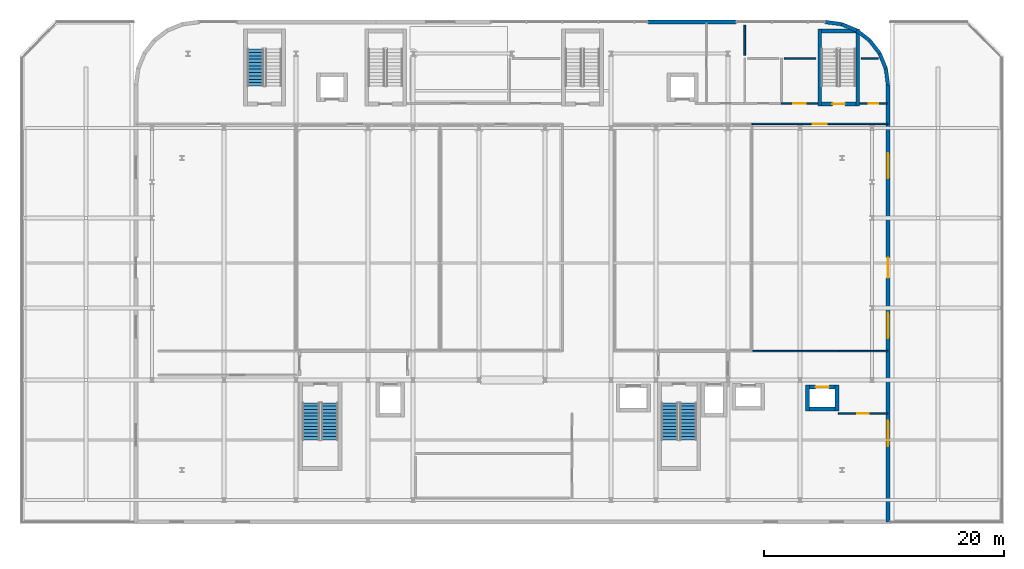
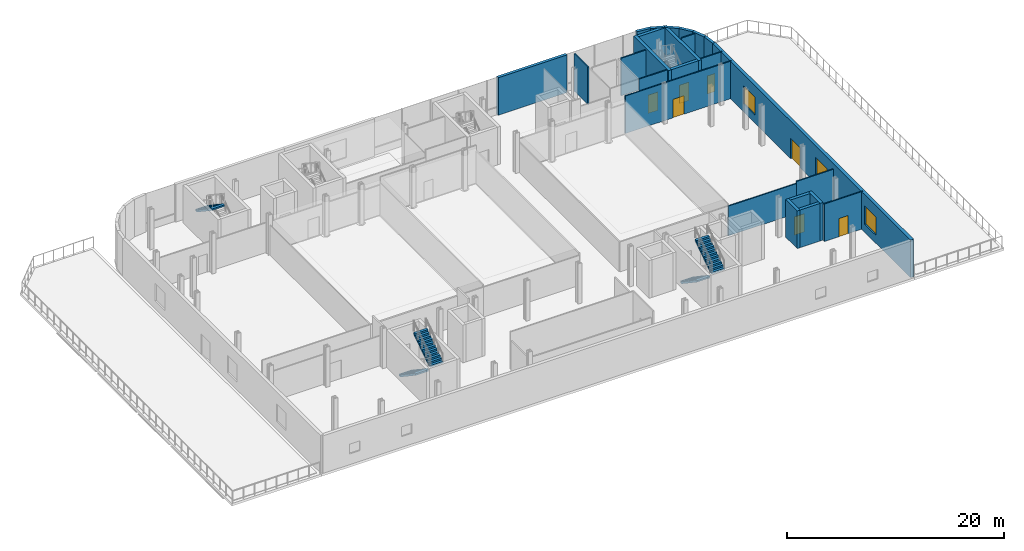
# One storey, part 18 of 26: 25 walls, 7 doors, 5 stair flights, 3 windows, 10 openings, 3 elements without a shape of their own.
"""IFC4 building model written with IfcOpenShell, lengths in metres."""

from ifc_helpers import new_model, si_unit, direction, frame, frame_2d, origin, place, context, subcontext, project, spatial, polyline, rectangle, outline, extrude, material, layer, layer_set, type_object, element, fill, aggregate, save


model = new_model("IFC4")

# Units and contexts
model_context = context("Model", 3, precision=1e-05, world=origin(), true_north=direction((0.0, 1.0)))
body_context = subcontext(model_context, "Body", "Model", "MODEL_VIEW")
ifc_project = project(units=[si_unit("LENGTHUNIT", "METRE"), si_unit("AREAUNIT", "SQUARE_METRE"), si_unit("VOLUMEUNIT", "CUBIC_METRE"), si_unit("PLANEANGLEUNIT", "RADIAN"), si_unit("MASSUNIT", "GRAM", prefix="KILO")], contexts=[model_context])

# Site, building, storey
site_placement = place(None, origin())
site = spatial("IfcSite", under=ifc_project, at=site_placement, CompositionType="ELEMENT")
building_placement = place(site_placement, origin())
building = spatial("IfcBuilding", under=site, at=building_placement, Name="Brevholm Reach", CompositionType="ELEMENT")
storey_placement = place(building_placement, frame((0.0, 0.0, 18.0)))
storey = spatial("IfcBuildingStorey", under=building, at=storey_placement, Name="L04", CompositionType="ELEMENT", Elevation=18.0)

# Walls
ifc_material_1 = material(Name="Concrete C60/75", Category="concrete")
ifc_layer_1 = layer(ifc_material_1, 0.320068359375)
ifc_layer_set_1 = layer_set([ifc_layer_1], Name="Concrete C60/75")
wall_type_1 = type_object("IfcWallType", Name="WAL-COR-320", PredefinedType="SHEAR", material=ifc_layer_set_1)
for number, where, z_axis, x_axis, name in (
    (1, (55.639892578125, 32.830078125, 0.0), (0.0, 0.0, 1.0), (0.0, 1.0, 0.0), "L04 Escape Stair ST-S4 Core Wall W"),
    (2, (58.81005859375, 32.830078125, 0.0), (0.0, 0.0, 1.0), (0.0, 1.0, 0.0), "L04 Escape Stair ST-S4 Core Wall E"),
):
    element("IfcWall", number, at=place(storey_placement, frame(where, z_axis=z_axis, x_axis=x_axis)), inside=storey, type_object=wall_type_1, Name=name, PredefinedType="SHEAR", context=body_context, shape_type="SweptSolid", body=[
        extrude(rectangle(XDim=6.419921875, YDim=0.320068359375, at=frame_2d((3.2099609375, 0.0))), origin(), (0.0, 0.0, 1.0), 4.219970703125),
    ])

# Wall, opening, door
wall_1_placement = place(storey_placement, frame((55.800048828125, 32.989990234375, 0.0), z_axis=(0.0, 0.0, 1.0), x_axis=(1.0, 0.0, 0.0)))
wall_1 = element("IfcWall", 3, at=wall_1_placement, inside=storey, type_object=wall_type_1, Name="L04 Escape Stair ST-S4 Core Wall S", PredefinedType="SHEAR", context=body_context, shape_type="SweptSolid", body=[
    extrude(rectangle(XDim=2.849853515625, YDim=0.320068359375, at=frame_2d((1.4248046875, 0.0))), origin(), (0.0, 0.0, 1.0), 4.219970703125),
])
opening_1_placement = place(wall_1_placement, frame((0.89990234375, 0.0, 0.0)))
opening_1 = element("IfcOpeningElement", 4, at=opening_1_placement, cuts=wall_1, Name="Opening SD-ST-S4", PredefinedType="OPENING", context=body_context, shape_type="SweptSolid", body=[
    extrude(rectangle(XDim=1.050048828125, YDim=2.06005859375, at=frame_2d((0.52490234375, 1.030029296875))), frame((0.0, 0.169921875, 0.0), z_axis=(0.0, -1.0, 0.0), x_axis=(1.0, 0.0, 0.0)), (0.0, 0.0, 1.0), 0.340087890625),
])
ifc_material_2 = material(Name="Hardwood-Lipped Steel-Core Fire and Smoke Door", Category="steel")
door_type_1 = type_object("IfcDoorType", Name="DOR-INT-FD60S", OperationType="NOTDEFINED", PredefinedType="DOOR", material=ifc_material_2)
door_1_placement = place(opening_1_placement, origin())
door_1 = element("IfcDoor", 5, at=door_1_placement, inside=storey, type_object=door_type_1, Name="L04 Protected Stair ST-S4 Lobby Door", OperationType="SINGLE_SWING_LEFT", OverallHeight=2.06005859375, OverallWidth=1.050048828125, PredefinedType="DOOR", context=body_context, shape_type="SweptSolid", body=[
    extrude(rectangle(XDim=1.050048828125, YDim=2.06005859375, at=frame_2d((0.52490234375, 1.030029296875))), frame((0.0, 0.02490234375, 0.0), z_axis=(0.0, -1.0, 0.0), x_axis=(1.0, 0.0, 0.0)), (0.0, 0.0, 1.0), 0.050048828125),
])
fill(opening_1, door_1)

# Walls
wall_2_placement = place(storey_placement, frame((58.64990234375, 39.090087890625, 0.0), z_axis=(0.0, 0.0, 1.0), x_axis=(-1.0, 0.0, 0.0)))
element("IfcWall", 6, at=wall_2_placement, inside=storey, type_object=wall_type_1, Name="L04 Escape Stair ST-S4 Core Wall N", PredefinedType="SHEAR", context=body_context, shape_type="SweptSolid", body=[
    extrude(rectangle(XDim=2.849853515625, YDim=0.320068359375, at=frame_2d((1.4248046875, 0.0))), origin(), (0.0, 0.0, 1.0), 4.219970703125),
])
for number, where, z_axis, x_axis, name in (
    (7, (54.6298828125, 7.419921875, 0.0), (0.0, 0.0, 1.0), (0.0, 1.0, 0.0), "L04 Lift PL-L2 Shaft Wall W"),
    (8, (57.070068359375, 7.419921875, 0.0), (0.0, 0.0, 1.0), (0.0, 1.0, 0.0), "L04 Lift PL-L2 Shaft Wall E"),
):
    element("IfcWall", number, at=place(storey_placement, frame(where, z_axis=z_axis, x_axis=x_axis)), inside=storey, type_object=wall_type_1, Name=name, PredefinedType="SHEAR", context=body_context, shape_type="SweptSolid", body=[
        extrude(rectangle(XDim=2.16015625, YDim=0.320068359375, at=frame_2d((1.080078125, 0.0))), origin(), (0.0, 0.0, 1.0), 4.219970703125),
    ])
wall_3_placement = place(storey_placement, frame((54.7900390625, 7.580078125, 0.0), z_axis=(0.0, 0.0, 1.0), x_axis=(1.0, 0.0, 0.0)))
element("IfcWall", 9, at=wall_3_placement, inside=storey, type_object=wall_type_1, Name="L04 Lift PL-L2 Shaft Wall S", PredefinedType="SHEAR", context=body_context, shape_type="SweptSolid", body=[
    extrude(rectangle(XDim=2.119873046875, YDim=0.320068359375, at=frame_2d((1.06005859375, 0.0))), origin(), (0.0, 0.0, 1.0), 4.219970703125),
])

# Wall, opening, door
wall_4_placement = place(storey_placement, frame((54.7900390625, 9.419921875, 0.0), z_axis=(0.0, 0.0, 1.0), x_axis=(1.0, 0.0, 0.0)))
wall_4 = element("IfcWall", 10, at=wall_4_placement, inside=storey, type_object=wall_type_1, Name="L04 Lift PL-L2 Shaft Wall N", PredefinedType="SHEAR", context=body_context, shape_type="SweptSolid", body=[
    extrude(rectangle(XDim=2.119873046875, YDim=0.320068359375, at=frame_2d((1.06005859375, 0.0))), origin(), (0.0, 0.0, 1.0), 4.219970703125),
])
opening_2_placement = place(wall_4_placement, frame((0.510009765625, 0.0, 0.0)))
opening_2 = element("IfcOpeningElement", 11, at=opening_2_placement, cuts=wall_4, Name="Opening LD-PL-L2", PredefinedType="OPENING", context=body_context, shape_type="SweptSolid", body=[
    extrude(rectangle(XDim=1.10009765625, YDim=2.06005859375, at=frame_2d((0.550048828125, 1.030029296875))), frame((0.0, 0.169921875, 0.0), z_axis=(0.0, -1.0, 0.0), x_axis=(1.0, 0.0, 0.0)), (0.0, 0.0, 1.0), 0.340087890625),
])
ifc_material_3 = material(Name="Brushed Stainless Steel Fire-Rated Sliding Lift Door", Category="steel")
door_type_2 = type_object("IfcDoorType", Name="DOR-LFT-1100", OperationType="NOTDEFINED", PredefinedType="DOOR", material=ifc_material_3)
door_2_placement = place(opening_2_placement, origin())
door_2 = element("IfcDoor", 12, at=door_2_placement, inside=storey, type_object=door_type_2, Name="L04 Lift PL-L2 Sliding Landing Door", OperationType="SLIDING_TO_LEFT", OverallHeight=2.06005859375, OverallWidth=1.10009765625, PredefinedType="DOOR", context=body_context, shape_type="SweptSolid", body=[
    extrude(rectangle(XDim=1.10009765625, YDim=2.06005859375, at=frame_2d((0.550048828125, 1.030029296875))), frame((0.0, 0.02490234375, 0.0), z_axis=(0.0, -1.0, 0.0), x_axis=(1.0, 0.0, 0.0)), (0.0, 0.0, 1.0), 0.050048828125),
])
fill(opening_2, door_2)

# Walls
ifc_material_4 = material(Name="Concrete C40/50", Category="concrete")
ifc_layer_2 = layer(ifc_material_4, 0.300048828125)
ifc_layer_set_2 = layer_set([ifc_layer_2], Name="Concrete C40/50")
wall_type_2 = type_object("IfcWallType", Name="WAL-EXT-300", PredefinedType="STANDARD", material=ifc_layer_set_2)
wall_5_placement = place(storey_placement, frame((56.10009765625, 39.830078125, 0.0), z_axis=(0.0, 0.0, 1.0), x_axis=(0.991442117533, -0.13054703207, 0.0)))
element("IfcWall", 13, at=wall_5_placement, inside=storey, type_object=wall_type_2, Name="L04 Facade Wall WAL-L04-NEP-1", PredefinedType="STANDARD", context=body_context, shape_type="SweptSolid", body=[
    extrude(rectangle(XDim=1.365234375, YDim=0.300048828125, at=frame_2d((0.6826171875, 0.0))), origin(), (0.0, 0.0, 1.0), 4.219970703125),
])
wall_6_placement = place(storey_placement, frame((57.45361328125, 39.65185546875, 0.0), z_axis=(0.0, 0.0, 1.0), x_axis=(0.923894797396, -0.382646577594, 0.0)))
element("IfcWall", 14, at=wall_6_placement, inside=storey, type_object=wall_type_2, Name="L04 Facade Wall WAL-L04-NEP-2", PredefinedType="STANDARD", context=body_context, shape_type="SweptSolid", body=[
    extrude(rectangle(XDim=1.365478515625, YDim=0.300048828125, at=frame_2d((0.6826171875, 0.0))), origin(), (0.0, 0.0, 1.0), 4.219970703125),
])
for number, where, z_axis, x_axis, name in (
    (15, (58.715087890625, 39.12939453125, 0.0), (0.0, 0.0, 1.0), (0.793255091989, -0.6088894473, 0.0), "L04 Facade Wall WAL-L04-NEP-3"),
    (16, (59.798095703125, 38.298095703125, 0.0), (0.0, 0.0, 1.0), (0.6088894473, -0.793255091989, 0.0), "L04 Facade Wall WAL-L04-NEP-4"),
):
    element("IfcWall", number, at=place(storey_placement, frame(where, z_axis=z_axis, x_axis=x_axis)), inside=storey, type_object=wall_type_2, Name=name, PredefinedType="STANDARD", context=body_context, shape_type="SweptSolid", body=[
        extrude(rectangle(XDim=1.365234375, YDim=0.300048828125, at=frame_2d((0.6826171875, 0.0))), origin(), (0.0, 0.0, 1.0), 4.219970703125),
    ])
wall_7_placement = place(storey_placement, frame((60.62939453125, 37.215087890625, 0.0), z_axis=(0.0, 0.0, 1.0), x_axis=(0.382646577594, -0.923894797396, 0.0)))
element("IfcWall", 17, at=wall_7_placement, inside=storey, type_object=wall_type_2, Name="L04 Facade Wall WAL-L04-NEP-5", PredefinedType="STANDARD", context=body_context, shape_type="SweptSolid", body=[
    extrude(rectangle(XDim=1.365478515625, YDim=0.300048828125, at=frame_2d((0.6826171875, 0.0))), origin(), (0.0, 0.0, 1.0), 4.219970703125),
])
wall_8_placement = place(storey_placement, frame((61.15185546875, 35.95361328125, 0.0), z_axis=(0.0, 0.0, 1.0), x_axis=(0.13054703207, -0.991442117533, 0.0)))
element("IfcWall", 18, at=wall_8_placement, inside=storey, type_object=wall_type_2, Name="L04 Facade Wall WAL-L04-NEP-6", PredefinedType="STANDARD", context=body_context, shape_type="SweptSolid", body=[
    extrude(rectangle(XDim=1.365234375, YDim=0.300048828125, at=frame_2d((0.6826171875, 0.0))), origin(), (0.0, 0.0, 1.0), 4.219970703125),
])
wall_9_placement = place(storey_placement, frame((41.35009765625, 39.830078125, 0.0), z_axis=(0.0, 0.0, 1.0), x_axis=(1.0, 0.0, 0.0)))
element("IfcWall", 19, at=wall_9_placement, inside=storey, type_object=wall_type_2, Name="L04 Facade Wall WAL-L04-NPE", PredefinedType="STANDARD", context=body_context, shape_type="SweptSolid", body=[
    extrude(rectangle(XDim=7.2998046875, YDim=0.300048828125, at=frame_2d((3.64990234375, 0.0))), origin(), (0.0, 0.0, 1.0), 4.219970703125),
])

# Wall, openings, door, windows
ifc_material_5 = material(Name="Concrete C40/50", Category="concrete")
ifc_layer_3 = layer(ifc_material_5, 0.340087890625)
ifc_layer_set_3 = layer_set([ifc_layer_3], Name="Concrete C40/50")
wall_type_3 = type_object("IfcWallType", Name="WAL-EXT-340", PredefinedType="STANDARD", material=ifc_layer_set_3)
wall_10_placement = place(storey_placement, frame((61.330078125, -1.830078125, 0.0), z_axis=(0.0, 0.0, 1.0), x_axis=(0.0, 1.0, 0.0)))
wall_10 = element("IfcWall", 20, at=wall_10_placement, inside=storey, type_object=wall_type_3, Name="L04 Facade Wall WAL-L04-E", PredefinedType="STANDARD", context=body_context, shape_type="SweptSolid", body=[
    extrude(rectangle(XDim=36.43017578125, YDim=0.340087890625, at=frame_2d((18.215087890625, 0.0))), origin(), (0.0, 0.0, 1.0), 4.219970703125),
])
opening_3_placement = place(wall_10_placement, frame((6.330078125, 0.0, 0.89990234375)))
opening_3 = element("IfcOpeningElement", 21, at=opening_3_placement, cuts=wall_10, Name="Opening WN-02", PredefinedType="OPENING", context=body_context, shape_type="SweptSolid", body=[
    extrude(rectangle(XDim=2.10009765625, YDim=2.050048828125, at=frame_2d((1.050048828125, 1.02490234375))), frame((0.0, 0.179931640625, 0.0), z_axis=(0.0, -1.0, 0.0), x_axis=(1.0, 0.0, 0.0)), (0.0, 0.0, 1.0), 0.360107421875),
])
opening_4_placement = place(wall_10_placement, frame((15.330078125, 0.0, 0.89990234375)))
opening_4 = element("IfcOpeningElement", 22, at=opening_4_placement, cuts=wall_10, Name="Opening WN-02", PredefinedType="OPENING", context=body_context, shape_type="SweptSolid", body=[
    extrude(rectangle(XDim=2.10009765625, YDim=2.050048828125, at=frame_2d((1.050048828125, 1.02490234375))), frame((0.0, 0.179931640625, 0.0), z_axis=(0.0, -1.0, 0.0), x_axis=(1.0, 0.0, 0.0)), (0.0, 0.0, 1.0), 0.360107421875),
])
opening_5_placement = place(wall_10_placement, frame((28.6298828125, 0.0, 0.89990234375)))
opening_5 = element("IfcOpeningElement", 23, at=opening_5_placement, cuts=wall_10, Name="Opening WN-02", PredefinedType="OPENING", context=body_context, shape_type="SweptSolid", body=[
    extrude(rectangle(XDim=2.10009765625, YDim=2.050048828125, at=frame_2d((1.050048828125, 1.02490234375))), frame((0.0, 0.179931640625, 0.0), z_axis=(0.0, -1.0, 0.0), x_axis=(1.0, 0.0, 0.0)), (0.0, 0.0, 1.0), 0.360107421875),
])
opening_6_placement = place(wall_10_placement, frame((20.330078125, 0.0, 0.0)))
opening_6 = element("IfcOpeningElement", 24, at=opening_6_placement, cuts=wall_10, Name="Opening ED-05", PredefinedType="OPENING", context=body_context, shape_type="SweptSolid", body=[
    extrude(rectangle(XDim=1.699951171875, YDim=2.300048828125, at=frame_2d((0.85009765625, 1.14990234375))), frame((0.0, 0.179931640625, 0.0), z_axis=(0.0, -1.0, 0.0), x_axis=(1.0, 0.0, 0.0)), (0.0, 0.0, 1.0), 0.360107421875),
])
ifc_material_6 = material(Name="Dark Anodised Aluminium and Toughened Safety Glass", Category="aluminium")
door_type_3 = type_object("IfcDoorType", Name="DOR-EXT-PLAY", OperationType="NOTDEFINED", PredefinedType="DOOR", material=ifc_material_6)
door_3_placement = place(opening_6_placement, origin())
door_3 = element("IfcDoor", 25, at=door_3_placement, inside=storey, type_object=door_type_3, Name="L04 Exterior Door DOR-L04-PLAY-E", OperationType="SINGLE_SWING_RIGHT", OverallHeight=2.300048828125, OverallWidth=1.699951171875, PredefinedType="DOOR", context=body_context, shape_type="SweptSolid", body=[
    extrude(rectangle(XDim=1.699951171875, YDim=2.300048828125, at=frame_2d((0.85009765625, 1.14990234375))), frame((0.0, 0.02490234375, 0.0), z_axis=(0.0, -1.0, 0.0), x_axis=(1.0, 0.0, 0.0)), (0.0, 0.0, 1.0), 0.050048828125),
])
fill(opening_6, door_3)
ifc_material_7 = material(Name="Dark Anodised Aluminium and Solar-Control IGU Glass", Category="aluminium")
window_type = type_object("IfcWindowType", Name="WIN-SCH-2100", PartitioningType="SINGLE_PANEL", PredefinedType="WINDOW", material=ifc_material_7)
window_1_placement = place(opening_3_placement, origin())
window_1 = element("IfcWindow", 26, at=window_1_placement, inside=storey, type_object=window_type, Name="L04 Window WIN-L04-E-1", OverallHeight=2.050048828125, OverallWidth=2.10009765625, PartitioningType="SINGLE_PANEL", PredefinedType="WINDOW", context=body_context, shape_type="SweptSolid", body=[
    extrude(rectangle(XDim=2.10009765625, YDim=2.050048828125, at=frame_2d((1.050048828125, 1.02490234375))), frame((0.0, 0.030029296875, 0.0), z_axis=(0.0, -1.0, 0.0), x_axis=(1.0, 0.0, 0.0)), (0.0, 0.0, 1.0), 0.06005859375),
])
fill(opening_3, window_1)
window_2_placement = place(opening_4_placement, origin())
window_2 = element("IfcWindow", 27, at=window_2_placement, inside=storey, type_object=window_type, Name="L04 Window WIN-L04-E-2", OverallHeight=2.050048828125, OverallWidth=2.10009765625, PartitioningType="SINGLE_PANEL", PredefinedType="WINDOW", context=body_context, shape_type="SweptSolid", body=[
    extrude(rectangle(XDim=2.10009765625, YDim=2.050048828125, at=frame_2d((1.050048828125, 1.02490234375))), frame((0.0, 0.030029296875, 0.0), z_axis=(0.0, -1.0, 0.0), x_axis=(1.0, 0.0, 0.0)), (0.0, 0.0, 1.0), 0.06005859375),
])
fill(opening_4, window_2)
window_3_placement = place(opening_5_placement, origin())
window_3 = element("IfcWindow", 28, at=window_3_placement, inside=storey, type_object=window_type, Name="L04 Window WIN-L04-E-4", OverallHeight=2.050048828125, OverallWidth=2.10009765625, PartitioningType="SINGLE_PANEL", PredefinedType="WINDOW", context=body_context, shape_type="SweptSolid", body=[
    extrude(rectangle(XDim=2.10009765625, YDim=2.050048828125, at=frame_2d((1.050048828125, 1.02490234375))), frame((0.0, 0.030029296875, 0.0), z_axis=(0.0, -1.0, 0.0), x_axis=(1.0, 0.0, 0.0)), (0.0, 0.0, 1.0), 0.06005859375),
])
fill(opening_5, window_3)

# Wall, opening, door
ifc_material_8 = material(Name="Acoustic Fire-Rated Classroom Gypsum Partition 120 mm", Category="gypsum")
ifc_layer_4 = layer(ifc_material_8, 0.1201171875)
ifc_layer_set_4 = layer_set([ifc_layer_4], Name="Acoustic Fire-Rated Classroom Gypsum Partition 120 mm")
wall_type_4 = type_object("IfcWallType", Name="WAL-PRT-120", PredefinedType="PARTITIONING", material=ifc_layer_set_4)
wall_11_placement = place(storey_placement, frame((52.442626953125, 33.050048828125, 0.0), z_axis=(0.0, 0.0, 1.0), x_axis=(1.0, 0.0, 0.0)))
wall_11 = element("IfcWall", 29, at=wall_11_placement, inside=storey, type_object=wall_type_4, Name="L04 Internal Partition 015", PredefinedType="PARTITIONING", context=body_context, shape_type="SweptSolid", body=[
    extrude(rectangle(XDim=3.0185546875, YDim=0.1201171875, at=frame_2d((1.50927734375, 0.0))), origin(), (0.0, 0.0, 1.0), 4.219970703125),
])
opening_7_placement = place(wall_11_placement, frame((0.984375, 0.0, 0.0)))
opening_7 = element("IfcOpeningElement", 30, at=opening_7_placement, cuts=wall_11, Name="Opening FD-01", PredefinedType="OPENING", context=body_context, shape_type="SweptSolid", body=[
    extrude(rectangle(XDim=1.050048828125, YDim=2.06005859375, at=frame_2d((0.52490234375, 1.030029296875))), frame((0.0, 0.070068359375, 0.0), z_axis=(0.0, -1.0, 0.0), x_axis=(1.0, 0.0, 0.0)), (0.0, 0.0, 1.0), 0.14013671875),
])
door_4_placement = place(opening_7_placement, origin())
door_4 = element("IfcDoor", 31, at=door_4_placement, inside=storey, type_object=door_type_1, Name="L04 Internal Door 011", OperationType="SINGLE_SWING_LEFT", OverallHeight=2.06005859375, OverallWidth=1.050048828125, PredefinedType="DOOR", context=body_context, shape_type="SweptSolid", body=[
    extrude(rectangle(XDim=1.050048828125, YDim=2.06005859375, at=frame_2d((0.52490234375, 1.030029296875))), frame((0.0, 0.02490234375, 0.0), z_axis=(0.0, -1.0, 0.0), x_axis=(1.0, 0.0, 0.0)), (0.0, 0.0, 1.0), 0.050048828125),
])
fill(opening_7, door_4)

wall_12_placement = place(storey_placement, frame((58.97998046875, 33.050048828125, 0.0), z_axis=(0.0, 0.0, 1.0), x_axis=(1.0, 0.0, 0.0)))
wall_12 = element("IfcWall", 32, at=wall_12_placement, inside=storey, type_object=wall_type_4, Name="L04 Internal Partition 016", PredefinedType="PARTITIONING", context=body_context, shape_type="SweptSolid", body=[
    extrude(rectangle(XDim=2.300048828125, YDim=0.1201171875, at=frame_2d((1.14990234375, 0.0))), origin(), (0.0, 0.0, 1.0), 4.219970703125),
])
opening_8_placement = place(wall_12_placement, frame((0.739990234375, 0.0, 0.0)))
opening_8 = element("IfcOpeningElement", 33, at=opening_8_placement, cuts=wall_12, Name="Opening ID-02", PredefinedType="OPENING", context=body_context, shape_type="SweptSolid", body=[
    extrude(rectangle(XDim=0.820068359375, YDim=2.02001953125, at=frame_2d((0.41015625, 1.010009765625))), frame((0.0, 0.070068359375, 0.0), z_axis=(0.0, -1.0, 0.0), x_axis=(1.0, 0.0, 0.0)), (0.0, 0.0, 1.0), 0.14013671875),
])
ifc_material_9 = material(Name="Moisture-Resistant Painted Timber Fire-Rated Riser and Service Door", Category="wood")
door_type_4 = type_object("IfcDoorType", Name="DOR-SRV-820", OperationType="NOTDEFINED", PredefinedType="DOOR", material=ifc_material_9)
door_5_placement = place(opening_8_placement, origin())
door_5 = element("IfcDoor", 34, at=door_5_placement, inside=storey, type_object=door_type_4, Name="L04 Internal Door 012", OperationType="SINGLE_SWING_RIGHT", OverallHeight=2.02001953125, OverallWidth=0.820068359375, PredefinedType="DOOR", context=body_context, shape_type="SweptSolid", body=[
    extrude(rectangle(XDim=0.820068359375, YDim=2.02001953125, at=frame_2d((0.41015625, 1.010009765625))), frame((0.0, 0.02490234375, 0.0), z_axis=(0.0, -1.0, 0.0), x_axis=(1.0, 0.0, 0.0)), (0.0, 0.0, 1.0), 0.050048828125),
])
fill(opening_8, door_5)

wall_13_placement = place(storey_placement, frame((49.99267578125, 31.35009765625, 0.0), z_axis=(0.0, 0.0, 1.0), x_axis=(1.0, 0.0, 0.0)))
wall_13 = element("IfcWall", 35, at=wall_13_placement, inside=storey, type_object=wall_type_4, Name="L04 Internal Partition 021", PredefinedType="PARTITIONING", context=body_context, shape_type="SweptSolid", body=[
    extrude(rectangle(XDim=11.307373046875, YDim=0.1201171875, at=frame_2d((5.65380859375, 0.0))), origin(), (0.0, 0.0, 1.0), 4.219970703125),
])
opening_9_placement = place(wall_13_placement, frame((5.0537109375, 0.0, 0.0)))
opening_9 = element("IfcOpeningElement", 36, at=opening_9_placement, cuts=wall_13, Name="Opening ID-SC", PredefinedType="OPENING", context=body_context, shape_type="SweptSolid", body=[
    extrude(rectangle(XDim=1.199951171875, YDim=2.080078125, at=frame_2d((0.60009765625, 1.0400390625))), frame((0.0, 0.070068359375, 0.0), z_axis=(0.0, -1.0, 0.0), x_axis=(1.0, 0.0, 0.0)), (0.0, 0.0, 1.0), 0.14013671875),
])
ifc_material_10 = material(Name="Acoustic European Oak Classroom Vision-Panel Fire Door", Category="timber")
door_type_5 = type_object("IfcDoorType", Name="DOR-SCH-1200", OperationType="NOTDEFINED", PredefinedType="DOOR", material=ifc_material_10)
door_6_placement = place(opening_9_placement, origin())
door_6 = element("IfcDoor", 37, at=door_6_placement, inside=storey, type_object=door_type_5, Name="L04 Internal Door 017", OperationType="SINGLE_SWING_LEFT", OverallHeight=2.080078125, OverallWidth=1.199951171875, PredefinedType="DOOR", context=body_context, shape_type="SweptSolid", body=[
    extrude(rectangle(XDim=1.199951171875, YDim=2.080078125, at=frame_2d((0.60009765625, 1.0400390625))), frame((0.0, 0.02490234375, 0.0), z_axis=(0.0, -1.0, 0.0), x_axis=(1.0, 0.0, 0.0)), (0.0, 0.0, 1.0), 0.050048828125),
])
fill(opening_9, door_6)

# Walls
wall_14_placement = place(storey_placement, frame((49.99267578125, 12.39990234375, 0.0), z_axis=(0.0, 0.0, 1.0), x_axis=(1.0, 0.0, 0.0)))
element("IfcWall", 38, at=wall_14_placement, inside=storey, type_object=wall_type_4, Name="L04 Internal Partition 029", PredefinedType="PARTITIONING", context=body_context, shape_type="SweptSolid", body=[
    extrude(rectangle(XDim=7.25732421875, YDim=0.1201171875, at=frame_2d((3.628662109375, 0.0))), origin(), (0.0, 0.0, 1.0), 3.343994140625),
])
wall_15_placement = place(storey_placement, frame((57.25390625, 12.39990234375, 0.0), z_axis=(0.0, 0.0, 1.0), x_axis=(1.0, 0.0, 0.0)))
element("IfcWall", 39, at=wall_15_placement, inside=storey, type_object=wall_type_4, Name="L04 Internal Partition 039", PredefinedType="PARTITIONING", context=body_context, shape_type="SweptSolid", body=[
    extrude(rectangle(XDim=4.046142578125, YDim=0.1201171875, at=frame_2d((2.02294921875, 0.0))), origin(), (0.0, 0.0, 1.0), 3.582763671875),
])

# Wall, opening, door
wall_16_placement = place(storey_placement, frame((57.188720703125, 7.199951171875, 0.0), z_axis=(0.0, 0.0, 1.0), x_axis=(1.0, 0.0, 0.0)))
wall_16 = element("IfcWall", 40, at=wall_16_placement, inside=storey, type_object=wall_type_4, Name="L04 Internal Partition 040", PredefinedType="PARTITIONING", context=body_context, shape_type="SweptSolid", body=[
    extrude(rectangle(XDim=4.111328125, YDim=0.1201171875, at=frame_2d((2.0556640625, 0.0))), origin(), (0.0, 0.0, 1.0), 4.219970703125),
])
opening_10_placement = place(wall_16_placement, frame((1.58056640625, 0.0, 0.0)))
opening_10 = element("IfcOpeningElement", 41, at=opening_10_placement, cuts=wall_16, Name="Opening ID-30", PredefinedType="OPENING", context=body_context, shape_type="SweptSolid", body=[
    extrude(rectangle(XDim=0.949951171875, YDim=2.050048828125, at=frame_2d((0.47509765625, 1.02490234375))), frame((0.0, 0.070068359375, 0.0), z_axis=(0.0, -1.0, 0.0), x_axis=(1.0, 0.0, 0.0)), (0.0, 0.0, 1.0), 0.14013671875),
])
ifc_material_11 = material(Name="European Oak Veneered Solid-Core Fire Entrance Door", Category="timber")
door_type_6 = type_object("IfcDoorType", Name="DOR-FLT-FD30S", OperationType="NOTDEFINED", PredefinedType="DOOR", material=ifc_material_11)
door_7_placement = place(opening_10_placement, origin())
door_7 = element("IfcDoor", 42, at=door_7_placement, inside=storey, type_object=door_type_6, Name="L04 Internal Door 019", OperationType="SINGLE_SWING_LEFT", OverallHeight=2.050048828125, OverallWidth=0.949951171875, PredefinedType="DOOR", context=body_context, shape_type="SweptSolid", body=[
    extrude(rectangle(XDim=0.949951171875, YDim=2.050048828125, at=frame_2d((0.47509765625, 1.02490234375))), frame((0.0, 0.02490234375, 0.0), z_axis=(0.0, -1.0, 0.0), x_axis=(1.0, 0.0, 0.0)), (0.0, 0.0, 1.0), 0.050048828125),
])
fill(opening_10, door_7)

# Walls
ifc_material_12 = material(Name="Twin-Stud Acoustic Fire-Rated Gypsum Partition 140 mm", Category="gypsum")
ifc_layer_5 = layer(ifc_material_12, 0.139892578125)
ifc_layer_set_5 = layer_set([ifc_layer_5], Name="Twin-Stud Acoustic Fire-Rated Gypsum Partition 140 mm")
wall_type_5 = type_object("IfcWallType", Name="WAL-PRT-140", PredefinedType="PARTITIONING", material=ifc_layer_set_5)
wall_17_placement = place(storey_placement, frame((49.39990234375, 37.05126953125, 0.0), z_axis=(0.0, 0.0, 1.0), x_axis=(0.0, 1.0, 0.0)))
element("IfcWall", 43, at=wall_17_placement, inside=storey, type_object=wall_type_5, Name="L04 Internal Partition 044", PredefinedType="PARTITIONING", context=body_context, shape_type="SweptSolid", body=[
    extrude(rectangle(XDim=2.498779296875, YDim=0.139892578125, at=frame_2d((1.24951171875, 0.0))), origin(), (0.0, 0.0, 1.0), 4.219970703125),
])
wall_18_placement = place(storey_placement, frame((52.68994140625, 36.800048828125, 0.0), z_axis=(0.0, 0.0, 1.0), x_axis=(1.0, 0.0, 0.0)))
element("IfcWall", 44, at=wall_18_placement, inside=storey, type_object=wall_type_5, Name="L04 Internal Partition 046", PredefinedType="PARTITIONING", context=body_context, shape_type="SweptSolid", body=[
    extrude(rectangle(XDim=2.64013671875, YDim=0.139892578125, at=frame_2d((1.320068359375, 0.0))), origin(), (0.0, 0.0, 1.0), 4.219970703125),
])
wall_19_placement = place(storey_placement, frame((59.1201171875, 36.800048828125, 0.0), z_axis=(0.0, 0.0, 1.0), x_axis=(1.0, 0.0, 0.0)))
element("IfcWall", 45, at=wall_19_placement, inside=storey, type_object=wall_type_5, Name="L04 Internal Partition 047", PredefinedType="PARTITIONING", context=body_context, shape_type="SweptSolid", body=[
    extrude(rectangle(XDim=1.42138671875, YDim=0.139892578125, at=frame_2d((0.710693359375, 0.0))), origin(), (0.0, 0.0, 1.0), 4.219970703125),
])

# Stair, stair flight
ifc_material_13 = material(Name="Precast Concrete C40/50", Category="concrete")
stair_type_1 = type_object("IfcStairType", Name="STR-ESC-1250", PredefinedType="DOUBLE_RETURN_STAIR", material=ifc_material_13)
stair_1_placement = place(storey_placement, origin())
stair_1 = element("IfcStair", 46, at=stair_1_placement, inside=storey, type_object=stair_type_1, Name="L04 ST-S1", PredefinedType="DOUBLE_RETURN_STAIR")
ifc_material_14 = material(Name="Precast Concrete C40/50", Category="concrete")
ifc_layer_6 = layer(ifc_material_14, 0.1650390625)
ifc_layer_set_6 = layer_set([ifc_layer_6], Name="Precast Concrete C40/50")
stair_flight_type_1 = type_object("IfcStairFlightType", Name="STF-PRC-165", PredefinedType="STRAIGHT", material=ifc_layer_set_6)
stair_flight_1_placement = place(storey_placement, frame((8.625, 37.580078125, 2.25), z_axis=(0.0, 0.0, 1.0), x_axis=(0.0, -1.0, 0.0)))
stair_flight_1 = element("IfcStairFlight", 47, at=stair_flight_1_placement, type_object=stair_flight_type_1, Name="ST-S1 flight 2", NumberOfRisers=12, NumberOfTreads=11, PredefinedType="STRAIGHT", RiserHeight=0.1875, TreadLength=0.28, context=body_context, shape_type="SweptSolid", body=[
    extrude(outline(polyline([(0.0, 0.0), (0.0, 0.1875), (0.280029296875, 0.1875), (0.280029296875, 0.375), (0.56005859375, 0.375), (0.56005859375, 0.5625), (0.840087890625, 0.5625), (0.840087890625, 0.75), (1.1201171875, 0.75), (1.1201171875, 0.9375), (1.39990234375, 0.9375), (1.39990234375, 1.125), (1.679931640625, 1.125), (1.679931640625, 1.3125), (1.9599609375, 1.3125), (1.9599609375, 1.5), (2.239990234375, 1.5), (2.239990234375, 1.6875), (2.52001953125, 1.6875), (2.52001953125, 1.875), (2.800048828125, 1.875), (2.800048828125, 2.0625), (3.080078125, 2.0625), (3.080078125, 2.25), (3.080078125, 1.882080078125), (0.26953125, 0.0), (0.0, 0.0)])), frame((0.0, 0.675048828125, 0.0), z_axis=(0.0, -1.0, 0.0), x_axis=(1.0, 0.0, 0.0)), (0.0, 0.0, 1.0), 1.35009765625),
])
aggregate(stair_1, [stair_flight_1])

# Stair, stair flights
ifc_material_15 = material(Name="Precast Concrete C40/50", Category="concrete")
stair_type_2 = type_object("IfcStairType", Name="STR-ESC-1400", PredefinedType="DOUBLE_RETURN_STAIR", material=ifc_material_15)
stair_2_placement = place(storey_placement, origin())
stair_2 = element("IfcStair", 48, at=stair_2_placement, inside=storey, type_object=stair_type_2, Name="L04 ST-1", PredefinedType="DOUBLE_RETURN_STAIR")
ifc_material_16 = material(Name="Precast Concrete C40/50", Category="concrete")
ifc_layer_7 = layer(ifc_material_16, 0.18505859375)
ifc_layer_set_7 = layer_set([ifc_layer_7], Name="Precast Concrete C40/50")
stair_flight_type_2 = type_object("IfcStairFlightType", Name="STF-PRC-185", PredefinedType="STRAIGHT", material=ifc_layer_set_7)
stair_flight_2_placement = place(storey_placement, frame((13.25, 8.10009765625, 0.0), z_axis=(0.0, 0.0, 1.0), x_axis=(0.0, -1.0, 0.0)))
stair_flight_2 = element("IfcStairFlight", 49, at=stair_flight_2_placement, type_object=stair_flight_type_2, Name="ST-1 flight 1", NumberOfRisers=12, NumberOfTreads=11, PredefinedType="STRAIGHT", RiserHeight=0.1875, TreadLength=0.28, context=body_context, shape_type="SweptSolid", body=[
    extrude(outline(polyline([(0.0, 0.0), (0.0, 0.1875), (0.280029296875, 0.1875), (0.280029296875, 0.375), (0.56005859375, 0.375), (0.56005859375, 0.5625), (0.840087890625, 0.5625), (0.840087890625, 0.75), (1.1201171875, 0.75), (1.1201171875, 0.9375), (1.39990234375, 0.9375), (1.39990234375, 1.125), (1.679931640625, 1.125), (1.679931640625, 1.3125), (1.9599609375, 1.3125), (1.9599609375, 1.5), (2.239990234375, 1.5), (2.239990234375, 1.6875), (2.52001953125, 1.6875), (2.52001953125, 1.875), (2.800048828125, 1.875), (2.800048828125, 2.0625), (3.080078125, 2.0625), (3.080078125, 2.25), (3.080078125, 1.882080078125), (0.26953125, 0.0), (0.0, 0.0)])), frame((0.0, 0.699951171875, 0.0), z_axis=(0.0, -1.0, 0.0), x_axis=(1.0, 0.0, 0.0)), (0.0, 0.0, 1.0), 1.39990234375),
])
stair_flight_3_placement = place(storey_placement, frame((14.800048828125, 5.02001953125, 2.25), z_axis=(0.0, 0.0, 1.0), x_axis=(0.0, 1.0, 0.0)))
stair_flight_3 = element("IfcStairFlight", 50, at=stair_flight_3_placement, type_object=stair_flight_type_2, Name="ST-1 flight 2", NumberOfRisers=12, NumberOfTreads=11, PredefinedType="STRAIGHT", RiserHeight=0.1875, TreadLength=0.28, context=body_context, shape_type="SweptSolid", body=[
    extrude(outline(polyline([(0.0, 0.0), (0.0, 0.1875), (0.280029296875, 0.1875), (0.280029296875, 0.375), (0.56005859375, 0.375), (0.56005859375, 0.5625), (0.840087890625, 0.5625), (0.840087890625, 0.75), (1.1201171875, 0.75), (1.1201171875, 0.9375), (1.39990234375, 0.9375), (1.39990234375, 1.125), (1.679931640625, 1.125), (1.679931640625, 1.3125), (1.9599609375, 1.3125), (1.9599609375, 1.5), (2.239990234375, 1.5), (2.239990234375, 1.6875), (2.52001953125, 1.6875), (2.52001953125, 1.875), (2.800048828125, 1.875), (2.800048828125, 2.0625), (3.080078125, 2.0625), (3.080078125, 2.25), (3.080078125, 1.882080078125), (0.26953125, 0.0), (0.0, 0.0)])), frame((0.0, 0.699951171875, 0.0), z_axis=(0.0, -1.0, 0.0), x_axis=(1.0, 0.0, 0.0)), (0.0, 0.0, 1.0), 1.39990234375),
])
aggregate(stair_2, [stair_flight_2, stair_flight_3])

stair_3_placement = place(storey_placement, origin())
stair_3 = element("IfcStair", 51, at=stair_3_placement, inside=storey, type_object=stair_type_2, Name="L04 ST-2", PredefinedType="DOUBLE_RETURN_STAIR")
stair_flight_4_placement = place(storey_placement, frame((43.14990234375, 8.10009765625, 0.0), z_axis=(0.0, 0.0, 1.0), x_axis=(0.0, -1.0, 0.0)))
stair_flight_4 = element("IfcStairFlight", 52, at=stair_flight_4_placement, type_object=stair_flight_type_2, Name="ST-2 flight 1", NumberOfRisers=12, NumberOfTreads=11, PredefinedType="STRAIGHT", RiserHeight=0.1875, TreadLength=0.28, context=body_context, shape_type="SweptSolid", body=[
    extrude(outline(polyline([(0.0, 0.0), (0.0, 0.1875), (0.280029296875, 0.1875), (0.280029296875, 0.375), (0.56005859375, 0.375), (0.56005859375, 0.5625), (0.840087890625, 0.5625), (0.840087890625, 0.75), (1.1201171875, 0.75), (1.1201171875, 0.9375), (1.39990234375, 0.9375), (1.39990234375, 1.125), (1.679931640625, 1.125), (1.679931640625, 1.3125), (1.9599609375, 1.3125), (1.9599609375, 1.5), (2.239990234375, 1.5), (2.239990234375, 1.6875), (2.52001953125, 1.6875), (2.52001953125, 1.875), (2.800048828125, 1.875), (2.800048828125, 2.0625), (3.080078125, 2.0625), (3.080078125, 2.25), (3.080078125, 1.882080078125), (0.26953125, 0.0), (0.0, 0.0)])), frame((0.0, 0.699951171875, 0.0), z_axis=(0.0, -1.0, 0.0), x_axis=(1.0, 0.0, 0.0)), (0.0, 0.0, 1.0), 1.39990234375),
])
stair_flight_5_placement = place(storey_placement, frame((44.699951171875, 5.02001953125, 2.25), z_axis=(0.0, 0.0, 1.0), x_axis=(0.0, 1.0, 0.0)))
stair_flight_5 = element("IfcStairFlight", 53, at=stair_flight_5_placement, type_object=stair_flight_type_2, Name="ST-2 flight 2", NumberOfRisers=12, NumberOfTreads=11, PredefinedType="STRAIGHT", RiserHeight=0.1875, TreadLength=0.28, context=body_context, shape_type="SweptSolid", body=[
    extrude(outline(polyline([(0.0, 0.0), (0.0, 0.1875), (0.280029296875, 0.1875), (0.280029296875, 0.375), (0.56005859375, 0.375), (0.56005859375, 0.5625), (0.840087890625, 0.5625), (0.840087890625, 0.75), (1.1201171875, 0.75), (1.1201171875, 0.9375), (1.39990234375, 0.9375), (1.39990234375, 1.125), (1.679931640625, 1.125), (1.679931640625, 1.3125), (1.9599609375, 1.3125), (1.9599609375, 1.5), (2.239990234375, 1.5), (2.239990234375, 1.6875), (2.52001953125, 1.6875), (2.52001953125, 1.875), (2.800048828125, 1.875), (2.800048828125, 2.0625), (3.080078125, 2.0625), (3.080078125, 2.25), (3.080078125, 1.882080078125), (0.26953125, 0.0), (0.0, 0.0)])), frame((0.0, 0.699951171875, 0.0), z_axis=(0.0, -1.0, 0.0), x_axis=(1.0, 0.0, 0.0)), (0.0, 0.0, 1.0), 1.39990234375),
])
aggregate(stair_3, [stair_flight_4, stair_flight_5])

save(model, "model.ifc")
